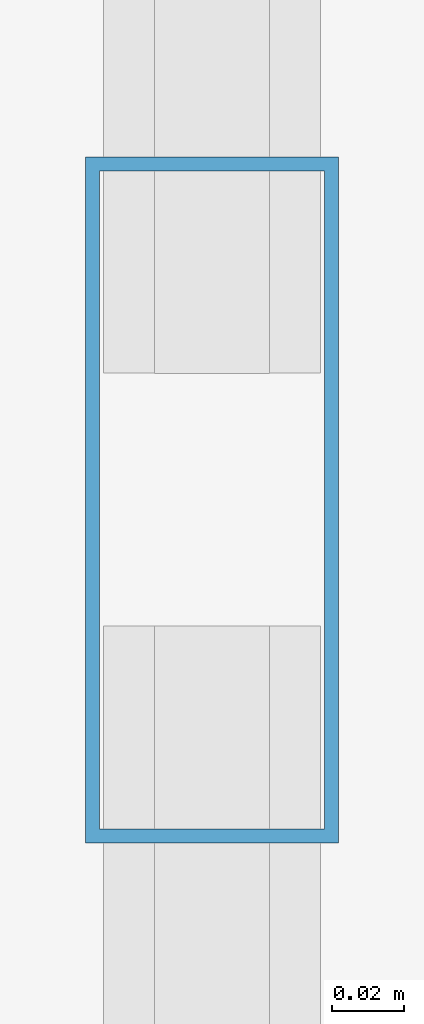
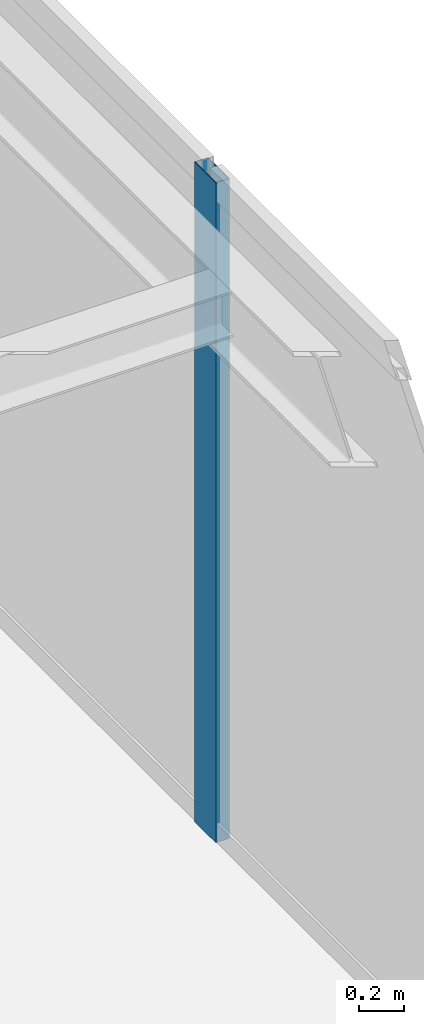
# One storey, part 20 of 32: 1 member, 1 element without a shape of its own.
"""IFC4 building model written with IfcOpenShell, lengths in metres."""

from ifc_helpers import new_model, si_unit, direction, frame, origin, origin_2d, place, context, subcontext, project, spatial, hollow_rectangle, extrude, source, transform, mapped, material, layer, layer_set, material_profile, profile_set, type_object, type_shapes, element, aggregate, save


model = new_model("IFC4")

# Units and contexts
model_context = context("Model", 3, precision=1e-05, world=origin(), true_north=direction((0.0, 1.0)))
body_context = subcontext(model_context, "Body", "Model", "MODEL_VIEW")
ifc_project = project(units=[si_unit("LENGTHUNIT", "METRE"), si_unit("AREAUNIT", "SQUARE_METRE"), si_unit("VOLUMEUNIT", "CUBIC_METRE"), si_unit("PLANEANGLEUNIT", "RADIAN"), si_unit("MASSUNIT", "GRAM", prefix="KILO")], contexts=[model_context])

# Site, building, storey
site_placement = place(None, origin())
site = spatial("IfcSite", under=ifc_project, at=site_placement, CompositionType="ELEMENT")
building_placement = place(site_placement, origin())
building = spatial("IfcBuilding", under=site, at=building_placement, Name="Varnel Quay Broadcast Tower", CompositionType="ELEMENT")
storey_placement = place(building_placement, frame((0.0, 0.0, 90.800048828125)))
storey = spatial("IfcBuildingStorey", under=building, at=storey_placement, Name="L21", CompositionType="ELEMENT", Elevation=90.800048828125)

# Curtain wall, member
ifc_material = material(Name="Anodised Bronze Aluminium 6063-T6", Category="aluminium")
ifc_layer = layer(ifc_material, 0.18994140625, Name="Anodised Bronze Aluminium 6063-T6")
ifc_layer_set = layer_set([ifc_layer], Name="Anodised Bronze Aluminium 6063-T6")
curtain_wall_type = type_object("IfcCurtainWallType", Name="CW_LowerTower", PredefinedType="NOTDEFINED", material=ifc_layer_set)
curtain_wall_placement = place(storey_placement, origin())
curtain_wall = element("IfcCurtainWall", 1, at=curtain_wall_placement, inside=storey, type_object=curtain_wall_type, Name="L21 East Unitised Curtain Wall", PredefinedType="NOTDEFINED")
ifc_material_profile = material_profile(ifc_material, hollow_rectangle(XDim=0.070068359375, YDim=0.18994140625, WallThickness=0.00390625, at=origin_2d()), Name="ALU70X190X4")
ifc_profile_set = profile_set([ifc_material_profile], Name="Anodised Bronze Aluminium 6063-T6")
member_type = type_object("IfcMemberType", Name="Mull_CWS-02", PredefinedType="MULLION", material=ifc_profile_set)
shared_shape = source(origin(), body_context, "Body", "SweptSolid", [
    extrude(hollow_rectangle(XDim=0.070068359375, YDim=0.18994140625, WallThickness=0.00390625, at=origin_2d()), origin(), (0.0, 0.0, 1.0), 3.550048828125),
])
type_shapes(member_type, [shared_shape])
member_placement = place(storey_placement, frame((63.35009765625, 31.39990234375, 0.0), z_axis=(0.0, 0.0, 1.0), x_axis=(-1.0, 0.0, 0.0)))
member = element("IfcMember", 2, at=member_placement, type_object=member_type, Name="CWS-02 mullion 3", PredefinedType="MULLION", context=body_context, shape_type="MappedRepresentation", body=[
    mapped(shared_shape, transform((0.0, 0.0, 0.0), x_axis=(1.0, 0.0, 0.0), y_axis=(0.0, 1.0, 0.0), z_axis=(0.0, 0.0, 1.0), scale=1.0)),
])
aggregate(curtain_wall, [member])

save(model, "model.ifc")
